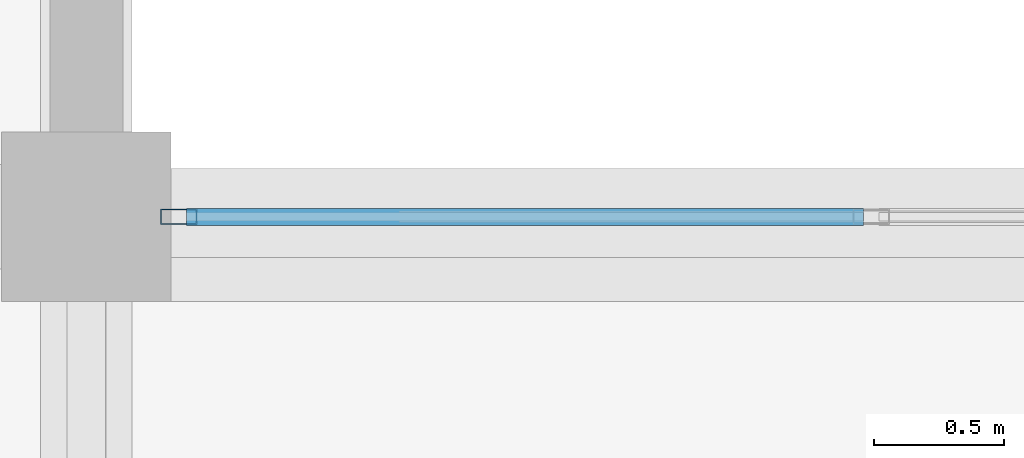
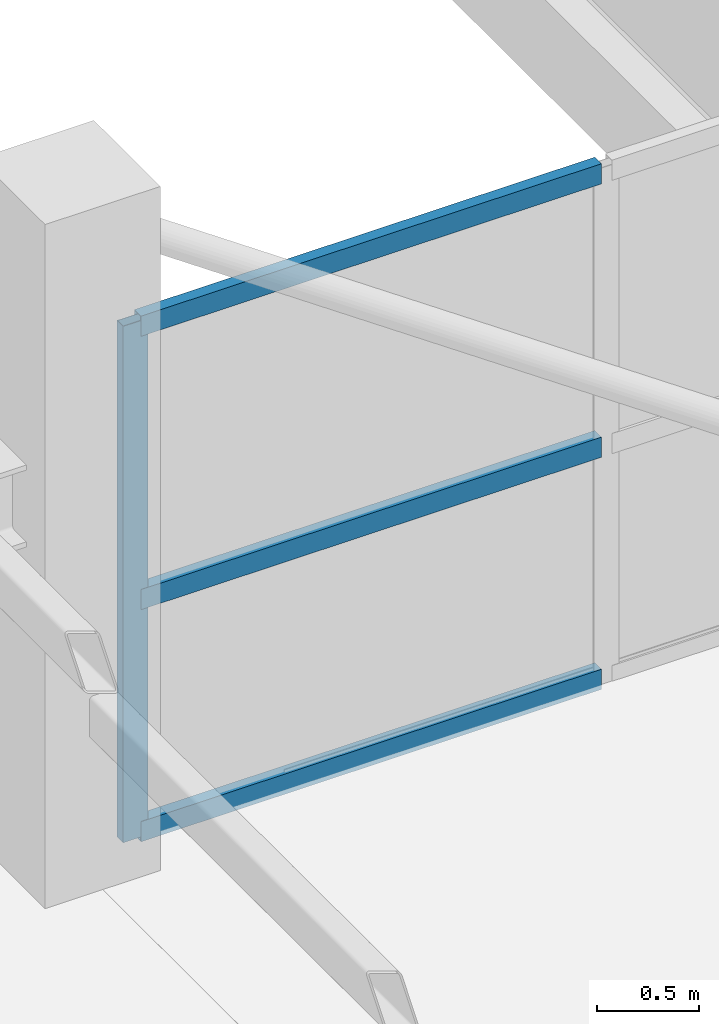
# One storey, part 35 of 70: 4 members, 1 element without a shape of its own.
"""IFC4 building model written with IfcOpenShell, lengths in metres."""

from ifc_helpers import new_model, si_unit, direction, frame, origin, origin_2d, place, context, subcontext, project, spatial, hollow_rectangle, extrude, material, layer, layer_set, material_profile, profile_set, type_object, element, aggregate, save


model = new_model("IFC4")

# Units and contexts
model_context = context("Model", 3, precision=1e-05, world=origin(), true_north=direction((0.0, 1.0)))
body_context = subcontext(model_context, "Body", "Model", "MODEL_VIEW")
ifc_project = project(units=[si_unit("LENGTHUNIT", "METRE"), si_unit("AREAUNIT", "SQUARE_METRE"), si_unit("VOLUMEUNIT", "CUBIC_METRE"), si_unit("PLANEANGLEUNIT", "RADIAN"), si_unit("MASSUNIT", "GRAM", prefix="KILO")], contexts=[model_context])

# Site, building, storey
site_placement = place(None, origin())
site = spatial("IfcSite", under=ifc_project, at=site_placement, CompositionType="ELEMENT")
building_placement = place(site_placement, origin())
building = spatial("IfcBuilding", under=site, at=building_placement, Name="Sillaruma Civic Art Gallery", CompositionType="ELEMENT")
storey_placement = place(building_placement, frame((0.0, 0.0, 66.300048828125)))
storey = spatial("IfcBuildingStorey", under=building, at=storey_placement, Name="L13", CompositionType="ELEMENT", Elevation=66.300048828125)

# Curtain wall, members
ifc_material = material(Name="Thermally Broken Extruded Aluminium 6063-T6", Category="aluminium")
ifc_layer = layer(ifc_material, 0.139892578125, Name="Thermally Broken Extruded Aluminium 6063-T6")
ifc_layer_set = layer_set([ifc_layer], Name="Thermally Broken Extruded Aluminium 6063-T6")
curtain_wall_type = type_object("IfcCurtainWallType", Name="CW-UNI-108", PredefinedType="NOTDEFINED", material=ifc_layer_set)
curtain_wall_placement = place(storey_placement, origin())
curtain_wall = element("IfcCurtainWall", 1, at=curtain_wall_placement, inside=storey, type_object=curtain_wall_type, Name="Unitised Curtain Wall CW-108 (CW-BRG-N-L13-N)", PredefinedType="NOTDEFINED")
ifc_material_profile_1 = material_profile(ifc_material, hollow_rectangle(XDim=0.06005859375, YDim=0.139892578125, WallThickness=0.00341796875, at=origin_2d()), Name="CWM60x140")
ifc_profile_set_1 = profile_set([ifc_material_profile_1], Name="Thermally Broken Extruded Aluminium 6063-T6")
member_type_1 = type_object("IfcMemberType", Name="MEM-MUL-CWM60x140", PredefinedType="MULLION", material=ifc_profile_set_1)
member_1_placement = place(storey_placement, frame((92.35498046875, 79.199951171875, 0.0), z_axis=(0.0, 0.0, 1.0), x_axis=(0.0, 1.0, 0.0)))
member_1 = element("IfcMember", 2, at=member_1_placement, type_object=member_type_1, Name="CW-108 mullion 1", PredefinedType="MULLION", context=body_context, shape_type="SweptSolid", body=[
    extrude(hollow_rectangle(XDim=0.06005859375, YDim=0.139892578125, WallThickness=0.00341796875, at=origin_2d()), origin(), (0.0, 0.0, 1.0), 3.079833984375),
])
ifc_material_profile_2 = material_profile(ifc_material, hollow_rectangle(XDim=0.06494140625, YDim=0.1201171875, WallThickness=0.00341796875, at=origin_2d()), Name="CWT65x120")
ifc_profile_set_2 = profile_set([ifc_material_profile_2], Name="Thermally Broken Extruded Aluminium 6063-T6")
member_type_2 = type_object("IfcMemberType", Name="MEM-TRN-CWT65x120", PredefinedType="USERDEFINED", material=ifc_profile_set_2)
member_2_placement = place(storey_placement, frame((92.385009765625, 79.199951171875, 0.032470703125), z_axis=(1.0, 0.0, 0.0), x_axis=(0.0, 1.0, 0.0)))
member_2 = element("IfcMember", 3, at=member_2_placement, type_object=member_type_2, Name="CW-108 transom 1.1", ObjectType="TRANSOM", PredefinedType="USERDEFINED", context=body_context, shape_type="SweptSolid", body=[
    extrude(hollow_rectangle(XDim=0.06494140625, YDim=0.1201171875, WallThickness=0.00341796875, at=origin_2d()), origin(), (0.0, 0.0, 1.0), 2.597412109375),
])
member_3_placement = place(storey_placement, frame((92.385009765625, 79.199951171875, 1.416748046875), z_axis=(1.0, 0.0, 0.0), x_axis=(0.0, 1.0, 0.0)))
member_3 = element("IfcMember", 4, at=member_3_placement, type_object=member_type_2, Name="CW-108 transom 1.2", ObjectType="TRANSOM", PredefinedType="USERDEFINED", context=body_context, shape_type="SweptSolid", body=[
    extrude(hollow_rectangle(XDim=0.06494140625, YDim=0.1201171875, WallThickness=0.00341796875, at=origin_2d()), origin(), (0.0, 0.0, 1.0), 2.597412109375),
])
member_4_placement = place(storey_placement, frame((92.385009765625, 79.199951171875, 3.04736328125), z_axis=(1.0, 0.0, 0.0), x_axis=(0.0, 1.0, 0.0)))
member_4 = element("IfcMember", 5, at=member_4_placement, type_object=member_type_2, Name="CW-108 transom 1.3", ObjectType="TRANSOM", PredefinedType="USERDEFINED", context=body_context, shape_type="SweptSolid", body=[
    extrude(hollow_rectangle(XDim=0.06494140625, YDim=0.1201171875, WallThickness=0.00341796875, at=origin_2d()), origin(), (0.0, 0.0, 1.0), 2.597412109375),
])
aggregate(curtain_wall, [member_1, member_2, member_3, member_4])

save(model, "model.ifc")
